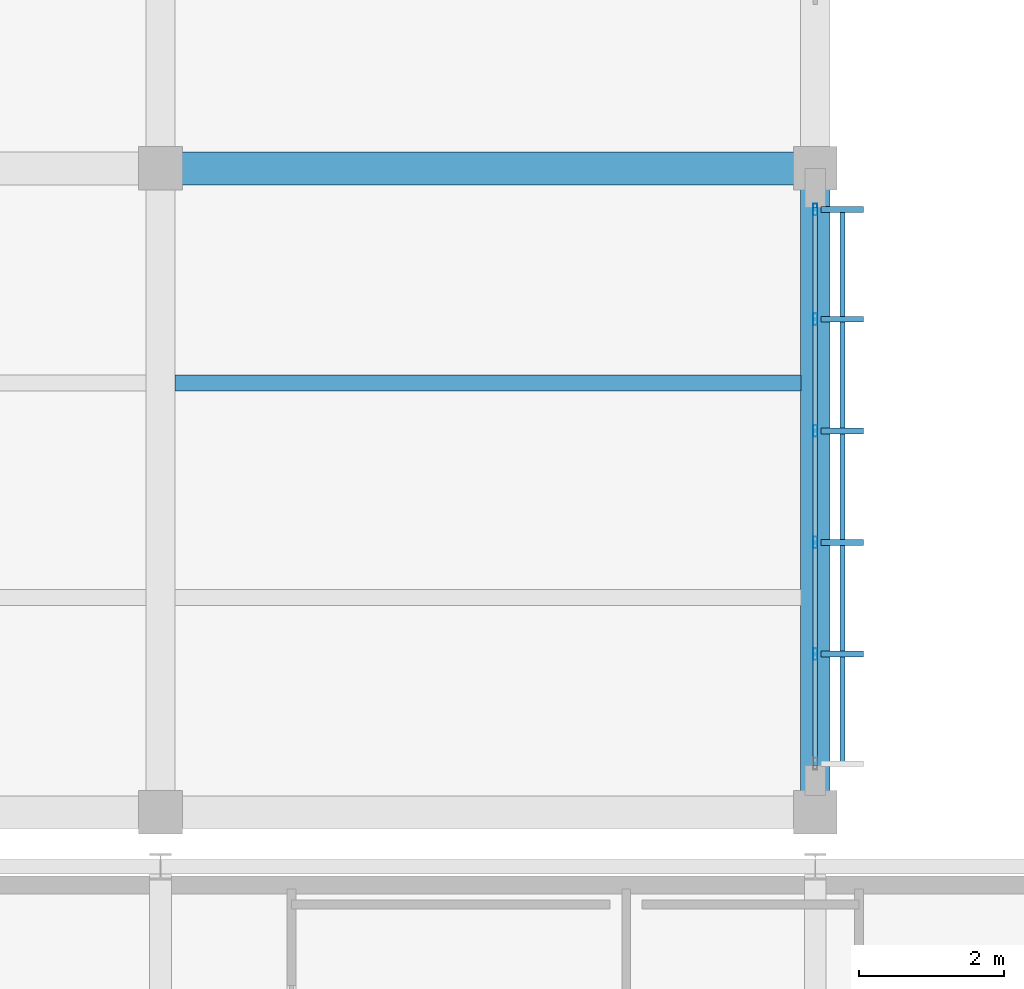
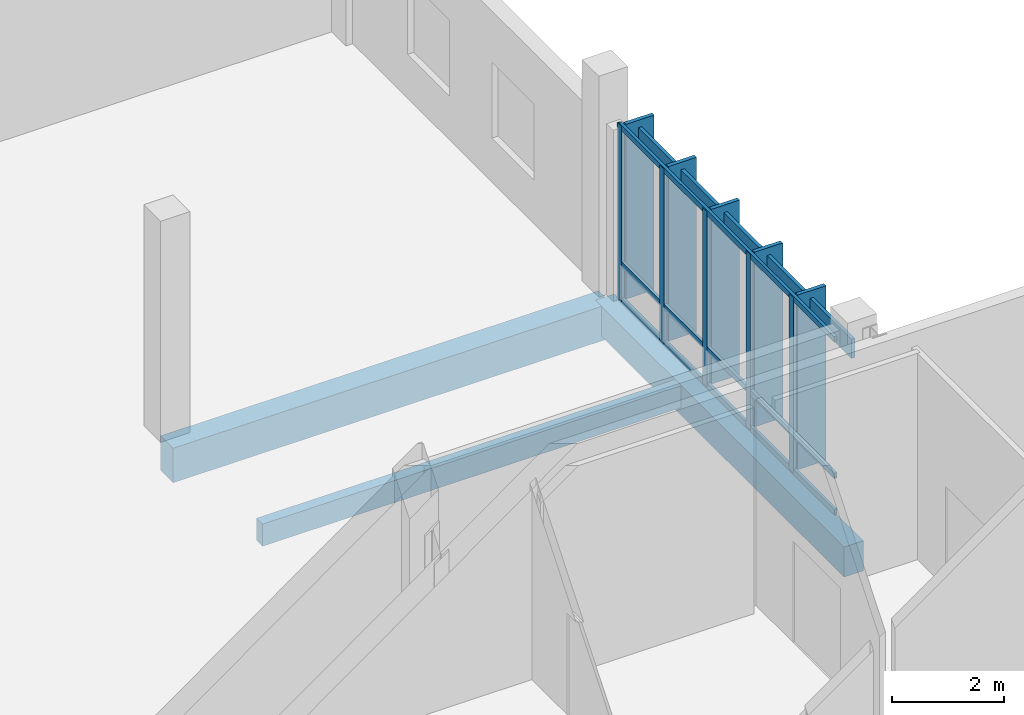
# One storey, part 115 of 177: 14 members, 3 beams, 1 element without a shape of its own.
"""IFC4 building model written with IfcOpenShell, lengths in metres."""

from ifc_helpers import new_model, si_unit, direction, frame, origin, origin_2d, place, context, subcontext, project, spatial, rectangle, hollow_rectangle, extrude, material, material_profile, profile_set, type_object, element, aggregate, save


model = new_model("IFC4")

# Units and contexts
model_context = context("Model", 3, precision=1e-05, world=origin(), true_north=direction((0.0, 1.0)))
body_context = subcontext(model_context, "Body", "Model", "MODEL_VIEW")
ifc_project = project(units=[si_unit("LENGTHUNIT", "METRE"), si_unit("AREAUNIT", "SQUARE_METRE"), si_unit("VOLUMEUNIT", "CUBIC_METRE"), si_unit("PLANEANGLEUNIT", "RADIAN"), si_unit("MASSUNIT", "GRAM", prefix="KILO")], contexts=[model_context])

# Site, building, storey
site_placement = place(None, origin())
site = spatial("IfcSite", under=ifc_project, at=site_placement, CompositionType="ELEMENT")
building_placement = place(site_placement, origin())
building = spatial("IfcBuilding", under=site, at=building_placement, Name="Chiffa Square Polytechnic", CompositionType="ELEMENT")
storey_placement = place(building_placement, frame((0.0, 0.0, 4.800048828125)))
storey = spatial("IfcBuildingStorey", under=building, at=storey_placement, Name="L01", CompositionType="ELEMENT", Elevation=4.800048828125)

# Beams
ifc_material_1 = material(Name="Concrete C35/45", Category="concrete")
ifc_material_profile_1 = material_profile(ifc_material_1, rectangle(XDim=0.39990234375, YDim=0.64990234375, at=origin_2d()), Name="RC 400x650")
ifc_profile_set_1 = profile_set([ifc_material_profile_1], Name="Concrete C35/45")
beam_type_1 = type_object("IfcBeamType", Name="BM-RC-400X650", PredefinedType="BEAM", material=ifc_profile_set_1)
beam_1_placement = place(storey_placement, frame((148.199951171875, 94.949951171875, -0.60498046875), z_axis=(0.0, 1.0, 0.0), x_axis=(-1.0, 0.0, 0.0)))
element("IfcBeam", 1, at=beam_1_placement, inside=storey, type_object=beam_type_1, Name="Primary floor girder BM-V5-L01-Y-1482-0950", PredefinedType="BEAM", context=body_context, shape_type="SweptSolid", body=[
    extrude(rectangle(XDim=0.39990234375, YDim=0.64990234375, at=origin_2d()), origin(), (0.0, 0.0, 1.0), 8.85009765625),
])
ifc_material_profile_2 = material_profile(ifc_material_1, rectangle(XDim=0.449951171875, YDim=0.75, at=origin_2d()), Name="RC 450x750")
ifc_profile_set_2 = profile_set([ifc_material_profile_2], Name="Concrete C35/45")
beam_type_2 = type_object("IfcBeamType", Name="BM-RC-450X750", PredefinedType="BEAM", material=ifc_profile_set_2)
beam_2_placement = place(storey_placement, frame((139.199951171875, 103.800048828125, -0.655029296875), z_axis=(1.0, 0.0, 0.0), x_axis=(0.0, 1.0, 0.0)))
element("IfcBeam", 2, at=beam_2_placement, inside=storey, type_object=beam_type_2, Name="Primary floor girder BM-V5-L01-X-1392-1038", PredefinedType="BEAM", context=body_context, shape_type="SweptSolid", body=[
    extrude(rectangle(XDim=0.449951171875, YDim=0.75, at=origin_2d()), origin(), (0.0, 0.0, 1.0), 9.0),
])

# Curtain wall, members
ifc_material_2 = material(Name="Aluminium EN AW-6060 T66 and glulam shading", Category="wood")
curtain_wall_type = type_object("IfcCurtainWallType", Name="CW-VERT-450X380", PredefinedType="USERDEFINED", material=ifc_material_2)
curtain_wall_placement = place(storey_placement, origin())
curtain_wall = element("IfcCurtainWall", 3, at=curtain_wall_placement, inside=storey, type_object=curtain_wall_type, Name="Curtain wall CW-V5-L01-202", ObjectType="CURTAIN WALL", PredefinedType="USERDEFINED")
ifc_material_3 = material(Name="Aluminium EN AW-6060 T66", Category="aluminium")
ifc_material_profile_3 = material_profile(ifc_material_3, hollow_rectangle(XDim=0.06005859375, YDim=0.159912109375, WallThickness=0.00390625, at=origin_2d()), Name="ALU 60x160x4")
ifc_profile_set_3 = profile_set([ifc_material_profile_3], Name="Aluminium EN AW-6060 T66")
member_type_1 = type_object("IfcMemberType", Name="CWM-ALU-65X150", PredefinedType="MULLION", material=ifc_profile_set_3)
member_1_placement = place(storey_placement, frame((148.199951171875, 97.1240234375, 0.0), z_axis=(0.0, 0.0, 1.0), x_axis=(1.0, 0.0, 0.0)))
member_1 = element("IfcMember", 4, at=member_1_placement, type_object=member_type_1, Name="Curtain wall mullion CW-V5-L01-202-M01", PredefinedType="MULLION", context=body_context, shape_type="SweptSolid", body=[
    extrude(hollow_rectangle(XDim=0.06005859375, YDim=0.159912109375, WallThickness=0.00390625, at=origin_2d()), origin(), (0.0, 0.0, 1.0), 3.81494140625),
])
member_2_placement = place(storey_placement, frame((148.199951171875, 98.657958984375, 0.0), z_axis=(0.0, 0.0, 1.0), x_axis=(1.0, 0.0, 0.0)))
member_2 = element("IfcMember", 5, at=member_2_placement, type_object=member_type_1, Name="Curtain wall mullion CW-V5-L01-202-M02", PredefinedType="MULLION", context=body_context, shape_type="SweptSolid", body=[
    extrude(hollow_rectangle(XDim=0.06005859375, YDim=0.159912109375, WallThickness=0.00390625, at=origin_2d()), origin(), (0.0, 0.0, 1.0), 3.81494140625),
])
member_3_placement = place(storey_placement, frame((148.199951171875, 100.19189453125, 0.0), z_axis=(0.0, 0.0, 1.0), x_axis=(1.0, 0.0, 0.0)))
member_3 = element("IfcMember", 6, at=member_3_placement, type_object=member_type_1, Name="Curtain wall mullion CW-V5-L01-202-M03", PredefinedType="MULLION", context=body_context, shape_type="SweptSolid", body=[
    extrude(hollow_rectangle(XDim=0.06005859375, YDim=0.159912109375, WallThickness=0.00390625, at=origin_2d()), origin(), (0.0, 0.0, 1.0), 3.81494140625),
])
member_4_placement = place(storey_placement, frame((148.199951171875, 101.72607421875, 0.0), z_axis=(0.0, 0.0, 1.0), x_axis=(1.0, 0.0, 0.0)))
member_4 = element("IfcMember", 7, at=member_4_placement, type_object=member_type_1, Name="Curtain wall mullion CW-V5-L01-202-M04", PredefinedType="MULLION", context=body_context, shape_type="SweptSolid", body=[
    extrude(hollow_rectangle(XDim=0.06005859375, YDim=0.159912109375, WallThickness=0.00390625, at=origin_2d()), origin(), (0.0, 0.0, 1.0), 3.81494140625),
])
member_5_placement = place(storey_placement, frame((148.199951171875, 103.235107421875, 0.0), z_axis=(0.0, 0.0, 1.0), x_axis=(1.0, 0.0, 0.0)))
member_5 = element("IfcMember", 8, at=member_5_placement, type_object=member_type_1, Name="Curtain wall mullion CW-V5-L01-202-M05", PredefinedType="MULLION", context=body_context, shape_type="SweptSolid", body=[
    extrude(hollow_rectangle(XDim=0.06005859375, YDim=0.159912109375, WallThickness=0.00390625, at=origin_2d()), origin(), (0.0, 0.0, 1.0), 3.81494140625),
])
ifc_material_4 = material(Name="Glulam GL28h", Category="wood")
ifc_material_profile_4 = material_profile(ifc_material_4, rectangle(XDim=0.080078125, YDim=0.580078125, at=origin_2d()), Name="GL28h 80x580")
ifc_profile_set_4 = profile_set([ifc_material_profile_4], Name="Glulam GL28h")
member_type_2 = type_object("IfcMemberType", Name="CWM-GL-80X580", PredefinedType="MULLION", material=ifc_profile_set_4)
member_6_placement = place(storey_placement, frame((148.572021484375, 97.1240234375, 0.010009765625), z_axis=(0.0, 0.0, 1.0), x_axis=(0.0, 1.0, 0.0)))
member_6 = element("IfcMember", 9, at=member_6_placement, type_object=member_type_2, Name="Exterior glulam solar fin CW-V5-L01-202-FN01", PredefinedType="MULLION", context=body_context, shape_type="SweptSolid", body=[
    extrude(rectangle(XDim=0.080078125, YDim=0.580078125, at=origin_2d()), origin(), (0.0, 0.0, 1.0), 3.794921875),
])
member_7_placement = place(storey_placement, frame((148.572021484375, 98.657958984375, 0.010009765625), z_axis=(0.0, 0.0, 1.0), x_axis=(0.0, 1.0, 0.0)))
member_7 = element("IfcMember", 10, at=member_7_placement, type_object=member_type_2, Name="Exterior glulam solar fin CW-V5-L01-202-FN02", PredefinedType="MULLION", context=body_context, shape_type="SweptSolid", body=[
    extrude(rectangle(XDim=0.080078125, YDim=0.580078125, at=origin_2d()), origin(), (0.0, 0.0, 1.0), 3.794921875),
])
member_8_placement = place(storey_placement, frame((148.572021484375, 100.19189453125, 0.010009765625), z_axis=(0.0, 0.0, 1.0), x_axis=(0.0, 1.0, 0.0)))
member_8 = element("IfcMember", 11, at=member_8_placement, type_object=member_type_2, Name="Exterior glulam solar fin CW-V5-L01-202-FN03", PredefinedType="MULLION", context=body_context, shape_type="SweptSolid", body=[
    extrude(rectangle(XDim=0.080078125, YDim=0.580078125, at=origin_2d()), origin(), (0.0, 0.0, 1.0), 3.794921875),
])
member_9_placement = place(storey_placement, frame((148.572021484375, 101.72607421875, 0.010009765625), z_axis=(0.0, 0.0, 1.0), x_axis=(0.0, 1.0, 0.0)))
member_9 = element("IfcMember", 12, at=member_9_placement, type_object=member_type_2, Name="Exterior glulam solar fin CW-V5-L01-202-FN04", PredefinedType="MULLION", context=body_context, shape_type="SweptSolid", body=[
    extrude(rectangle(XDim=0.080078125, YDim=0.580078125, at=origin_2d()), origin(), (0.0, 0.0, 1.0), 3.794921875),
])
member_10_placement = place(storey_placement, frame((148.572021484375, 103.235107421875, 0.010009765625), z_axis=(0.0, 0.0, 1.0), x_axis=(0.0, 1.0, 0.0)))
member_10 = element("IfcMember", 13, at=member_10_placement, type_object=member_type_2, Name="Exterior glulam solar fin CW-V5-L01-202-FN05", PredefinedType="MULLION", context=body_context, shape_type="SweptSolid", body=[
    extrude(rectangle(XDim=0.080078125, YDim=0.580078125, at=origin_2d()), origin(), (0.0, 0.0, 1.0), 3.794921875),
])
ifc_material_profile_5 = material_profile(ifc_material_3, hollow_rectangle(XDim=0.06005859375, YDim=0.1201171875, WallThickness=0.00390625, at=origin_2d()), Name="ALU 60x120x4")
ifc_profile_set_5 = profile_set([ifc_material_profile_5], Name="Aluminium EN AW-6060 T66")
member_type_3 = type_object("IfcMemberType", Name="CWT-ALU-65X120", PredefinedType="USERDEFINED", material=ifc_profile_set_5)
member_11_placement = place(storey_placement, frame((148.199951171875, 95.587890625, 0.030029296875), z_axis=(0.0, 1.0, 0.0), x_axis=(-1.0, 0.0, 0.0)))
member_11 = element("IfcMember", 14, at=member_11_placement, type_object=member_type_3, Name="Curtain wall transom CW-V5-L01-202-T01", ObjectType="TRANSOM", PredefinedType="USERDEFINED", context=body_context, shape_type="SweptSolid", body=[
    extrude(hollow_rectangle(XDim=0.06005859375, YDim=0.1201171875, WallThickness=0.00390625, at=origin_2d()), origin(), (0.0, 0.0, 1.0), 7.674072265625),
])
member_12_placement = place(storey_placement, frame((148.199951171875, 95.587890625, 0.820068359375), z_axis=(0.0, 1.0, 0.0), x_axis=(-1.0, 0.0, 0.0)))
member_12 = element("IfcMember", 15, at=member_12_placement, type_object=member_type_3, Name="Curtain wall transom CW-V5-L01-202-T02", ObjectType="TRANSOM", PredefinedType="USERDEFINED", context=body_context, shape_type="SweptSolid", body=[
    extrude(hollow_rectangle(XDim=0.06005859375, YDim=0.1201171875, WallThickness=0.00390625, at=origin_2d()), origin(), (0.0, 0.0, 1.0), 7.674072265625),
])
member_13_placement = place(storey_placement, frame((148.199951171875, 95.587890625, 3.784912109375), z_axis=(0.0, 1.0, 0.0), x_axis=(-1.0, 0.0, 0.0)))
member_13 = element("IfcMember", 16, at=member_13_placement, type_object=member_type_3, Name="Curtain wall transom CW-V5-L01-202-T03", ObjectType="TRANSOM", PredefinedType="USERDEFINED", context=body_context, shape_type="SweptSolid", body=[
    extrude(hollow_rectangle(XDim=0.06005859375, YDim=0.1201171875, WallThickness=0.00390625, at=origin_2d()), origin(), (0.0, 0.0, 1.0), 7.674072265625),
])
ifc_material_profile_6 = material_profile(ifc_material_4, rectangle(XDim=0.070068359375, YDim=0.419921875, at=origin_2d()), Name="GL28h 70x420")
ifc_profile_set_6 = profile_set([ifc_material_profile_6], Name="Glulam GL28h")
member_type_4 = type_object("IfcMemberType", Name="CWT-GL-70X420", PredefinedType="USERDEFINED", material=ifc_profile_set_6)
member_14_placement = place(storey_placement, frame((148.572021484375, 95.614990234375, 3.43505859375), z_axis=(0.0, 1.0, 0.0), x_axis=(-1.0, 0.0, 0.0)))
member_14 = element("IfcMember", 17, at=member_14_placement, type_object=member_type_4, Name="Exterior glulam brise-soleil CW-V5-L01-202-BS01", ObjectType="TRANSOM", PredefinedType="USERDEFINED", context=body_context, shape_type="SweptSolid", body=[
    extrude(rectangle(XDim=0.070068359375, YDim=0.419921875, at=origin_2d()), origin(), (0.0, 0.0, 1.0), 7.6201171875),
])
aggregate(curtain_wall, [member_1, member_6, member_2, member_7, member_3, member_8, member_4, member_9, member_5, member_10, member_11, member_12, member_13, member_14])

# Beam
ifc_material_profile_7 = material_profile(ifc_material_4, rectangle(XDim=0.219970703125, YDim=0.47998046875, at=origin_2d()), Name="GL28h 220x480")
ifc_profile_set_7 = profile_set([ifc_material_profile_7], Name="Glulam GL28h")
beam_type_3 = type_object("IfcBeamType", Name="JST-GL-220X480", PredefinedType="JOIST", material=ifc_profile_set_7)
beam_3_placement = place(storey_placement, frame((139.39794921875, 100.85009765625, -0.52001953125), z_axis=(1.0, 0.0, 0.0), x_axis=(0.0, 1.0, 0.0)))
element("IfcBeam", 18, at=beam_3_placement, inside=storey, type_object=beam_type_3, Name="Secondary floor joist JST-V5-L01-1392-1008", PredefinedType="JOIST", context=body_context, shape_type="SweptSolid", body=[
    extrude(rectangle(XDim=0.219970703125, YDim=0.47998046875, at=origin_2d()), origin(), (0.0, 0.0, 1.0), 8.60400390625),
])

save(model, "model.ifc")
